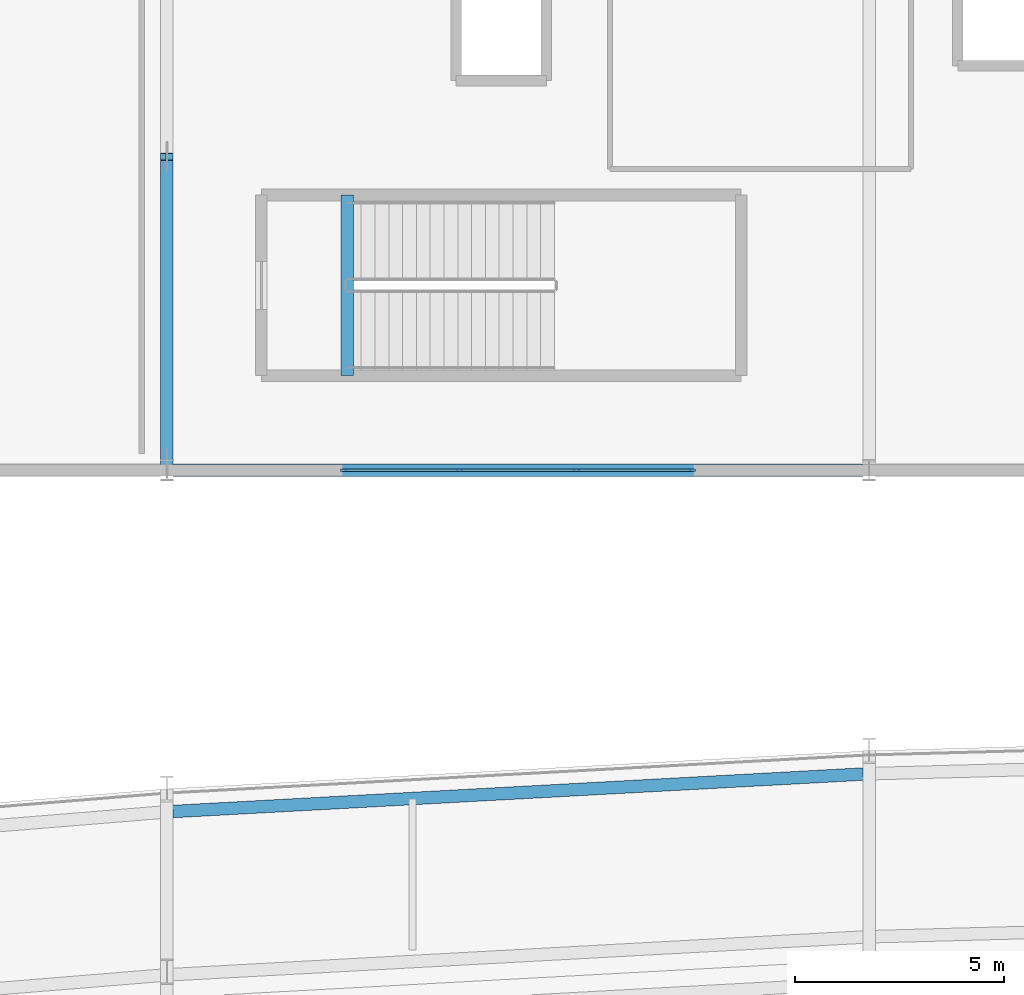
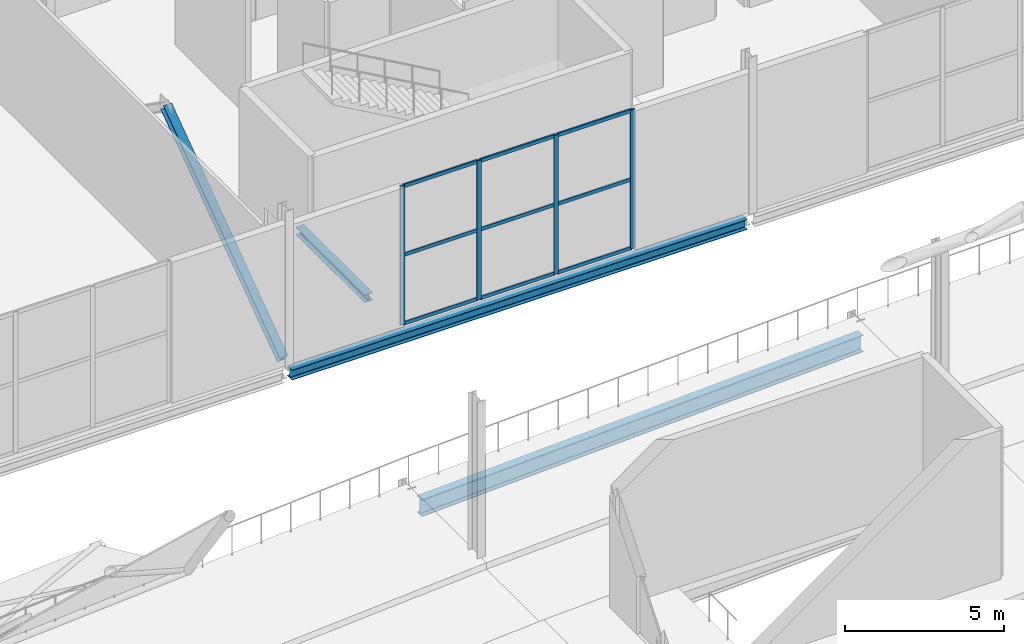
# One storey, part 28 of 100: 14 members, 3 beams, 1 element without a shape of its own.
"""IFC4 building model written with IfcOpenShell, lengths in metres."""

from ifc_helpers import new_model, si_unit, direction, frame, origin, origin_2d, place, context, subcontext, project, spatial, rectangle, i_section, extrude, material, material_profile, profile_set, type_object, element, aggregate, save


model = new_model("IFC4")

# Units and contexts
model_context = context("Model", 3, precision=1e-05, world=origin(), true_north=direction((0.0, 1.0)))
body_context = subcontext(model_context, "Body", "Model", "MODEL_VIEW")
ifc_project = project(units=[si_unit("LENGTHUNIT", "METRE"), si_unit("AREAUNIT", "SQUARE_METRE"), si_unit("VOLUMEUNIT", "CUBIC_METRE"), si_unit("PLANEANGLEUNIT", "RADIAN"), si_unit("MASSUNIT", "GRAM", prefix="KILO")], contexts=[model_context])

# Site, building, storey
site_placement = place(None, origin())
site = spatial("IfcSite", under=ifc_project, at=site_placement, CompositionType="ELEMENT")
building_placement = place(site_placement, origin())
building = spatial("IfcBuilding", under=site, at=building_placement, Name="Kimbaza Rail Terminus", CompositionType="ELEMENT")
storey_placement = place(building_placement, frame((0.0, 0.0, 10.800048828125)))
storey = spatial("IfcBuildingStorey", under=building, at=storey_placement, Name="L02", CompositionType="ELEMENT", Elevation=10.800048828125)

# Curtain wall, members
ifc_material_1 = material(Name="Anodised aluminium framing and solar low-E glazing", Category="aluminium")
curtain_wall_type = type_object("IfcCurtainWallType", Name="ARC-CW-OP1", PredefinedType="USERDEFINED", material=ifc_material_1)
curtain_wall_placement = place(storey_placement, origin())
curtain_wall = element("IfcCurtainWall", 1, at=curtain_wall_placement, inside=storey, type_object=curtain_wall_type, Name="Operations South Curtain Wall L02 Bay 2", ObjectType="UNITISED CURTAIN WALL", PredefinedType="USERDEFINED")
ifc_material_2 = material(Name="Anodised architectural aluminium", Category="aluminium")
ifc_material_profile_1 = material_profile(ifc_material_2, rectangle(XDim=0.06201171875, YDim=0.1650390625, at=origin_2d()), Name="MULLION 62x165")
ifc_profile_set_1 = profile_set([ifc_material_profile_1], Name="Anodised architectural aluminium")
member_type_1 = type_object("IfcMemberType", Name="ARC-CWM-05", PredefinedType="MULLION", material=ifc_profile_set_1)
member_1_placement = place(storey_placement, frame((76.23095703125, 103.0, 0.0), z_axis=(0.0, 0.0, 1.0), x_axis=(0.0, 1.0, 0.0)))
member_1 = element("IfcMember", 2, at=member_1_placement, type_object=member_type_1, Name="CW-05 mullion 1", PredefinedType="MULLION", context=body_context, shape_type="SweptSolid", body=[
    extrude(rectangle(XDim=0.06201171875, YDim=0.1650390625, at=origin_2d()), origin(), (0.0, 0.0, 1.0), 5.324951171875),
])
member_2_placement = place(storey_placement, frame((79.0, 103.0, 0.0), z_axis=(0.0, 0.0, 1.0), x_axis=(0.0, 1.0, 0.0)))
member_2 = element("IfcMember", 3, at=member_2_placement, type_object=member_type_1, Name="CW-05 mullion 2", PredefinedType="MULLION", context=body_context, shape_type="SweptSolid", body=[
    extrude(rectangle(XDim=0.06201171875, YDim=0.1650390625, at=origin_2d()), origin(), (0.0, 0.0, 1.0), 5.324951171875),
])
member_3_placement = place(storey_placement, frame((81.800048828125, 103.0, 0.0), z_axis=(0.0, 0.0, 1.0), x_axis=(0.0, 1.0, 0.0)))
member_3 = element("IfcMember", 4, at=member_3_placement, type_object=member_type_1, Name="CW-05 mullion 3", PredefinedType="MULLION", context=body_context, shape_type="SweptSolid", body=[
    extrude(rectangle(XDim=0.06201171875, YDim=0.1650390625, at=origin_2d()), origin(), (0.0, 0.0, 1.0), 5.324951171875),
])
member_4_placement = place(storey_placement, frame((84.569091796875, 103.0, 0.0), z_axis=(0.0, 0.0, 1.0), x_axis=(0.0, 1.0, 0.0)))
member_4 = element("IfcMember", 5, at=member_4_placement, type_object=member_type_1, Name="CW-05 mullion 4", PredefinedType="MULLION", context=body_context, shape_type="SweptSolid", body=[
    extrude(rectangle(XDim=0.06201171875, YDim=0.1650390625, at=origin_2d()), origin(), (0.0, 0.0, 1.0), 5.324951171875),
])
ifc_material_3 = material(Name="Anodised architectural aluminium", Category="aluminium")
ifc_material_profile_2 = material_profile(ifc_material_3, rectangle(XDim=0.06201171875, YDim=0.135009765625, at=origin_2d()), Name="TRANSOM 62x135")
ifc_profile_set_2 = profile_set([ifc_material_profile_2], Name="Anodised architectural aluminium")
member_type_2 = type_object("IfcMemberType", Name="ARC-CWT-05", PredefinedType="USERDEFINED", material=ifc_profile_set_2)
member_5_placement = place(storey_placement, frame((76.261962890625, 103.0, 0.031005859375), z_axis=(1.0, 0.0, 0.0), x_axis=(0.0, 1.0, 0.0)))
member_5 = element("IfcMember", 6, at=member_5_placement, type_object=member_type_2, Name="CW-05 transom 1.1", ObjectType="TRANSOM", PredefinedType="USERDEFINED", context=body_context, shape_type="SweptSolid", body=[
    extrude(rectangle(XDim=0.06201171875, YDim=0.135009765625, at=origin_2d()), origin(), (0.0, 0.0, 1.0), 2.70703125),
])
member_6_placement = place(storey_placement, frame((76.261962890625, 103.0, 2.662353515625), z_axis=(1.0, 0.0, 0.0), x_axis=(0.0, 1.0, 0.0)))
member_6 = element("IfcMember", 7, at=member_6_placement, type_object=member_type_2, Name="CW-05 transom 1.2", ObjectType="TRANSOM", PredefinedType="USERDEFINED", context=body_context, shape_type="SweptSolid", body=[
    extrude(rectangle(XDim=0.06201171875, YDim=0.135009765625, at=origin_2d()), origin(), (0.0, 0.0, 1.0), 2.70703125),
])
member_7_placement = place(storey_placement, frame((76.261962890625, 103.0, 5.2939453125), z_axis=(1.0, 0.0, 0.0), x_axis=(0.0, 1.0, 0.0)))
member_7 = element("IfcMember", 8, at=member_7_placement, type_object=member_type_2, Name="CW-05 transom 1.3", ObjectType="TRANSOM", PredefinedType="USERDEFINED", context=body_context, shape_type="SweptSolid", body=[
    extrude(rectangle(XDim=0.06201171875, YDim=0.135009765625, at=origin_2d()), origin(), (0.0, 0.0, 1.0), 2.70703125),
])
member_8_placement = place(storey_placement, frame((79.031005859375, 103.0, 0.031005859375), z_axis=(1.0, 0.0, 0.0), x_axis=(0.0, 1.0, 0.0)))
member_8 = element("IfcMember", 9, at=member_8_placement, type_object=member_type_2, Name="CW-05 transom 2.1", ObjectType="TRANSOM", PredefinedType="USERDEFINED", context=body_context, shape_type="SweptSolid", body=[
    extrude(rectangle(XDim=0.06201171875, YDim=0.135009765625, at=origin_2d()), origin(), (0.0, 0.0, 1.0), 2.738037109375),
])
member_9_placement = place(storey_placement, frame((79.031005859375, 103.0, 2.662353515625), z_axis=(1.0, 0.0, 0.0), x_axis=(0.0, 1.0, 0.0)))
member_9 = element("IfcMember", 10, at=member_9_placement, type_object=member_type_2, Name="CW-05 transom 2.2", ObjectType="TRANSOM", PredefinedType="USERDEFINED", context=body_context, shape_type="SweptSolid", body=[
    extrude(rectangle(XDim=0.06201171875, YDim=0.135009765625, at=origin_2d()), origin(), (0.0, 0.0, 1.0), 2.738037109375),
])
member_10_placement = place(storey_placement, frame((79.031005859375, 103.0, 5.2939453125), z_axis=(1.0, 0.0, 0.0), x_axis=(0.0, 1.0, 0.0)))
member_10 = element("IfcMember", 11, at=member_10_placement, type_object=member_type_2, Name="CW-05 transom 2.3", ObjectType="TRANSOM", PredefinedType="USERDEFINED", context=body_context, shape_type="SweptSolid", body=[
    extrude(rectangle(XDim=0.06201171875, YDim=0.135009765625, at=origin_2d()), origin(), (0.0, 0.0, 1.0), 2.738037109375),
])
member_11_placement = place(storey_placement, frame((81.8310546875, 103.0, 0.031005859375), z_axis=(1.0, 0.0, 0.0), x_axis=(0.0, 1.0, 0.0)))
member_11 = element("IfcMember", 12, at=member_11_placement, type_object=member_type_2, Name="CW-05 transom 3.1", ObjectType="TRANSOM", PredefinedType="USERDEFINED", context=body_context, shape_type="SweptSolid", body=[
    extrude(rectangle(XDim=0.06201171875, YDim=0.135009765625, at=origin_2d()), origin(), (0.0, 0.0, 1.0), 2.70703125),
])
member_12_placement = place(storey_placement, frame((81.8310546875, 103.0, 2.662353515625), z_axis=(1.0, 0.0, 0.0), x_axis=(0.0, 1.0, 0.0)))
member_12 = element("IfcMember", 13, at=member_12_placement, type_object=member_type_2, Name="CW-05 transom 3.2", ObjectType="TRANSOM", PredefinedType="USERDEFINED", context=body_context, shape_type="SweptSolid", body=[
    extrude(rectangle(XDim=0.06201171875, YDim=0.135009765625, at=origin_2d()), origin(), (0.0, 0.0, 1.0), 2.70703125),
])
member_13_placement = place(storey_placement, frame((81.8310546875, 103.0, 5.2939453125), z_axis=(1.0, 0.0, 0.0), x_axis=(0.0, 1.0, 0.0)))
member_13 = element("IfcMember", 14, at=member_13_placement, type_object=member_type_2, Name="CW-05 transom 3.3", ObjectType="TRANSOM", PredefinedType="USERDEFINED", context=body_context, shape_type="SweptSolid", body=[
    extrude(rectangle(XDim=0.06201171875, YDim=0.135009765625, at=origin_2d()), origin(), (0.0, 0.0, 1.0), 2.70703125),
])
aggregate(curtain_wall, [member_1, member_2, member_3, member_4, member_5, member_6, member_7, member_8, member_9, member_10, member_11, member_12, member_13])

# Beams
ifc_material_4 = material(Name="Steel S355", Category="steel")
ifc_material_profile_3 = material_profile(ifc_material_4, i_section(OverallWidth=0.300048828125, OverallDepth=0.2900390625, WebThickness=0.008544921875, FlangeThickness=0.013916015625, FilletRadius=0.027099609375, at=origin_2d()), Name="HEA 300")
ifc_profile_set_3 = profile_set([ifc_material_profile_3], Name="Steel S355")
beam_type_1 = type_object("IfcBeamType", Name="STR-BM-HEA300", PredefinedType="SPANDREL", material=ifc_profile_set_3)
beam_1_placement = place(storey_placement, frame((76.320068359375, 105.260009765625, -0.385009765625), z_axis=(0.0, 1.0, 0.0), x_axis=(-1.0, 0.0, 0.0)))
element("IfcBeam", 15, at=beam_1_placement, inside=storey, type_object=beam_type_1, Name="Operations West Exit Stair Landing Trimmer Beam L02", PredefinedType="SPANDREL", context=body_context, shape_type="SweptSolid", body=[
    extrude(i_section(OverallWidth=0.300048828125, OverallDepth=0.2900390625, WebThickness=0.008544921875, FlangeThickness=0.013916015625, FilletRadius=0.027099609375, at=origin_2d()), origin(), (0.0, 0.0, 1.0), 4.320068359375),
])
ifc_material_5 = material(Name="Steel S355", Category="steel")
ifc_material_profile_4 = material_profile(ifc_material_5, i_section(OverallWidth=0.300048828125, OverallDepth=0.389892578125, WebThickness=0.010986328125, FlangeThickness=0.01904296875, FilletRadius=0.027099609375, at=origin_2d()), Name="HEA 400")
ifc_profile_set_4 = profile_set([ifc_material_profile_4], Name="Steel S355")
beam_type_2 = type_object("IfcBeamType", Name="STR-BM-HEA400", PredefinedType="SPANDREL", material=ifc_profile_set_4)
beam_2_placement = place(storey_placement, frame((72.14599609375, 103.0, -0.43505859375), z_axis=(1.0, 0.0, 0.0), x_axis=(0.0, 1.0, 0.0)))
element("IfcBeam", 16, at=beam_2_placement, inside=storey, type_object=beam_type_2, Name="Operations Girder L02 X1-Y0", PredefinedType="SPANDREL", context=body_context, shape_type="SweptSolid", body=[
    extrude(i_section(OverallWidth=0.300048828125, OverallDepth=0.389892578125, WebThickness=0.010986328125, FlangeThickness=0.01904296875, FilletRadius=0.027099609375, at=origin_2d()), origin(), (0.0, 0.0, 1.0), 16.508056640625),
])
ifc_material_6 = material(Name="Steel S355", Category="steel")
ifc_material_profile_5 = material_profile(ifc_material_6, i_section(OverallWidth=0.300048828125, OverallDepth=0.64990234375, WebThickness=0.01611328125, FlangeThickness=0.031005859375, FilletRadius=0.027099609375, at=origin_2d()), Name="HEB 650")
ifc_profile_set_5 = profile_set([ifc_material_profile_5], Name="Steel S355")
beam_type_3 = type_object("IfcBeamType", Name="STR-BM-HEB650", PredefinedType="USERDEFINED", material=ifc_profile_set_5)
beam_3_placement = place(storey_placement, frame((72.144775390625, 94.833740234375, -0.5849609375), z_axis=(0.998530722194, 0.054188530475, 0.0), x_axis=(-0.054188530475, 0.998530722194, 0.0)))
element("IfcBeam", 17, at=beam_3_placement, inside=storey, type_object=beam_type_3, Name="Viaduct Chorded Girder P4 Bay 04", ObjectType="GIRDER", PredefinedType="USERDEFINED", context=body_context, shape_type="SweptSolid", body=[
    extrude(i_section(OverallWidth=0.300048828125, OverallDepth=0.64990234375, WebThickness=0.01611328125, FlangeThickness=0.031005859375, FilletRadius=0.027099609375, at=origin_2d()), origin(), (0.0, 0.0, 1.0), 16.534912109375),
])

# Member
ifc_material_7 = material(Name="Steel S355", Category="steel")
ifc_material_profile_6 = material_profile(ifc_material_7, i_section(OverallWidth=0.300048828125, OverallDepth=0.300048828125, WebThickness=0.010986328125, FlangeThickness=0.01904296875, FilletRadius=0.027099609375, at=origin_2d()), Name="HEB 300")
ifc_profile_set_6 = profile_set([ifc_material_profile_6], Name="Steel S355")
member_type_3 = type_object("IfcMemberType", Name="STR-MB-HEB300", PredefinedType="BRACE", material=ifc_profile_set_6)
member_14_placement = place(storey_placement, frame((72.0, 103.179931640625, 0.050048828125), z_axis=(0.0, 0.812609404068, 0.582808679088), x_axis=(-1.0, 0.0, 0.0)))
element("IfcMember", 18, at=member_14_placement, inside=storey, type_object=member_type_3, Name="Core Chevron Brace 3A", PredefinedType="BRACE", context=body_context, shape_type="SweptSolid", body=[
    extrude(i_section(OverallWidth=0.300048828125, OverallDepth=0.300048828125, WebThickness=0.010986328125, FlangeThickness=0.01904296875, FilletRadius=0.027099609375, at=origin_2d()), origin(), (0.0, 0.0, 1.0), 9.008056640625),
])

save(model, "model.ifc")
